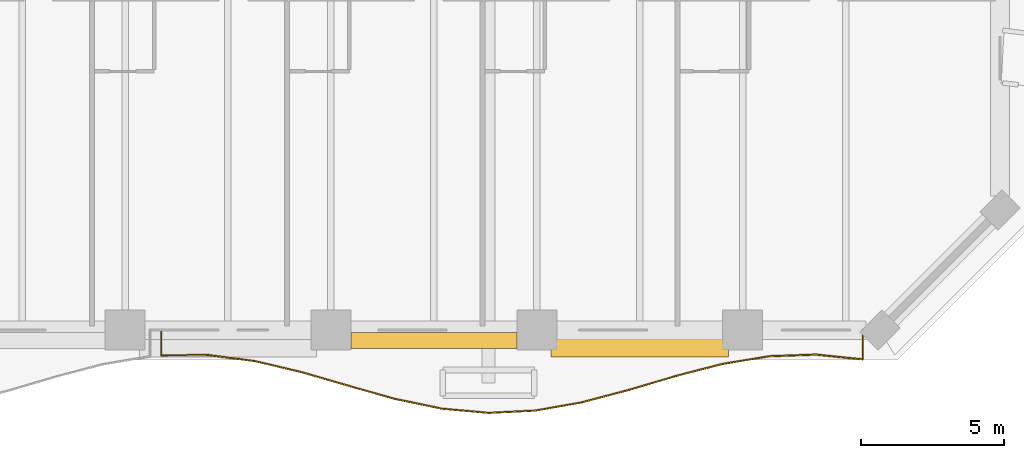
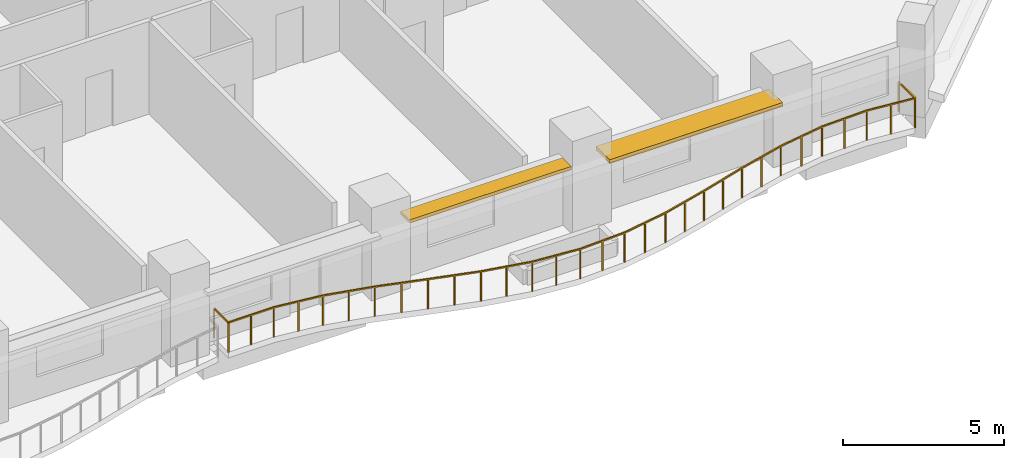
# One storey, part 14 of 15: 2 shading devices, 1 railing.
"""IFC4 building model written with IfcOpenShell, lengths in metres."""

from ifc_helpers import new_model, si_unit, direction, frame, origin, origin_2d, place, context, subcontext, project, spatial, rectangle, extrude, material, layer, layer_set, type_object, element, save


model = new_model("IFC4")

# Units and contexts
model_context = context("Model", 3, precision=1e-05, world=origin(), true_north=direction((0.0, 1.0)))
body_context = subcontext(model_context, "Body", "Model", "MODEL_VIEW")
ifc_project = project(units=[si_unit("LENGTHUNIT", "METRE"), si_unit("AREAUNIT", "SQUARE_METRE"), si_unit("VOLUMEUNIT", "CUBIC_METRE"), si_unit("PLANEANGLEUNIT", "RADIAN"), si_unit("MASSUNIT", "GRAM", prefix="KILO")], contexts=[model_context])

# Site, building, storey
site_placement = place(None, origin())
site = spatial("IfcSite", under=ifc_project, at=site_placement, CompositionType="ELEMENT")
building_placement = place(site_placement, origin())
building = spatial("IfcBuilding", under=site, at=building_placement, Name="Kaelvorn Grand Hotel", CompositionType="ELEMENT")
storey_placement = place(building_placement, frame((0.0, 0.0, 53.89990234375)))
storey = spatial("IfcBuildingStorey", under=building, at=storey_placement, Name="L11", CompositionType="ELEMENT", Elevation=53.89990234375)

# Railing
ifc_material_1 = material(Name="Stainless Steel", Category="steel")
railing_type = type_object("IfcRailingType", Name="RL-BALC-1150", PredefinedType="BALUSTRADE", material=ifc_material_1)
railing_placement = place(storey_placement, frame((54.666748046875, 0.0, 0.0)))
element("IfcRailing", 1, at=railing_placement, inside=storey, type_object=railing_type, Name="L11 Scalloped Wave Balcony Balustrade GR1-3", PredefinedType="BALUSTRADE", context=body_context, shape_type="SweptSolid", body=[
    extrude(rectangle(XDim=0.048095703125, YDim=0.048095703125, at=origin_2d()), frame((0.0, 0.0, 1.1259765625), z_axis=(0.0, -1.0, 0.0), x_axis=(1.0, 0.0, 0.0)), (0.0, 0.0, 1.0), 0.884521484375),
    extrude(rectangle(XDim=0.048095703125, YDim=0.048095703125, at=origin_2d()), frame((0.0, -0.884521484375, 1.1259765625), z_axis=(0.999978430437, 0.006568002827, 0.0), x_axis=(-0.006568002827, 0.999978430437, 0.0)), (0.0, 0.0, 1.0), 1.635498046875),
    extrude(rectangle(XDim=0.048095703125, YDim=0.048095703125, at=origin_2d()), frame((1.635498046875, -0.873779296875, 1.1259765625), z_axis=(0.991728699093, -0.128351811034, 0.0), x_axis=(0.128351811034, 0.991728699093, 0.0)), (0.0, 0.0, 1.0), 1.649169921875),
    extrude(rectangle(XDim=0.048095703125, YDim=0.048095703125, at=origin_2d()), frame((3.27099609375, -1.08544921875, 1.1259765625), z_axis=(0.973100001254, -0.230383132108, 0.0), x_axis=(0.230383132108, 0.973100001254, 0.0)), (0.0, 0.0, 1.0), 1.6806640625),
    extrude(rectangle(XDim=0.048095703125, YDim=0.048095703125, at=origin_2d()), frame((4.906494140625, -1.47265625, 1.1259765625), z_axis=(0.960083412967, -0.279713854047, 0.0), x_axis=(0.279713854047, 0.960083412967, 0.0)), (0.0, 0.0, 1.0), 1.703857421875),
    extrude(rectangle(XDim=0.048095703125, YDim=0.048095703125, at=origin_2d()), frame((6.542236328125, -1.94921875, 1.1259765625), z_axis=(0.962654451324, -0.270733092446, 0.0), x_axis=(0.270733092446, 0.962654451324, 0.0)), (0.0, 0.0, 1.0), 1.698974609375),
    extrude(rectangle(XDim=0.048095703125, YDim=0.048095703125, at=origin_2d()), frame((8.177734375, -2.4091796875, 1.1259765625), z_axis=(0.978911067954, -0.20428685968, 0.0), x_axis=(0.20428685968, 0.978911067954, 0.0)), (0.0, 0.0, 1.0), 1.670654296875),
    extrude(rectangle(XDim=0.048095703125, YDim=0.048095703125, at=origin_2d()), frame((9.813232421875, -2.75048828125, 1.1259765625), z_axis=(0.9959865086, -0.089503489801, 0.0), x_axis=(0.089503489801, 0.9959865086, 0.0)), (0.0, 0.0, 1.0), 1.64208984375),
    extrude(rectangle(XDim=0.048095703125, YDim=0.048095703125, at=origin_2d()), frame((11.44873046875, -2.8974609375, 1.1259765625), z_axis=(0.998796551064, 0.049045382881, 0.0), x_axis=(-0.049045382881, 0.998796551064, 0.0)), (0.0, 0.0, 1.0), 1.6376953125),
    extrude(rectangle(XDim=0.048095703125, YDim=0.048095703125, at=origin_2d()), frame((13.08447265625, -2.817138671875, 1.1259765625), z_axis=(0.984712445929, 0.174187826306, 0.0), x_axis=(-0.174187826306, 0.984712445929, 0.0)), (0.0, 0.0, 1.0), 1.660888671875),
    extrude(rectangle(XDim=0.048095703125, YDim=0.048095703125, at=origin_2d()), frame((14.719970703125, -2.52783203125, 1.1259765625), z_axis=(0.966464429191, 0.256800520072, 0.0), x_axis=(-0.256800520072, 0.966464429191, 0.0)), (0.0, 0.0, 1.0), 1.692138671875),
    extrude(rectangle(XDim=0.048095703125, YDim=0.048095703125, at=origin_2d()), frame((16.35546875, -2.09326171875, 1.1259765625), z_axis=(0.959066322629, 0.283181547419, 0.0), x_axis=(-0.283181547419, 0.959066322629, 0.0)), (0.0, 0.0, 1.0), 1.705322265625),
    extrude(rectangle(XDim=0.048095703125, YDim=0.048095703125, at=origin_2d()), frame((17.990966796875, -1.6103515625, 1.1259765625), z_axis=(0.967989097059, 0.250992246842, 0.0), x_axis=(-0.250992246842, 0.967989097059, 0.0)), (0.0, 0.0, 1.0), 1.689697265625),
    extrude(rectangle(XDim=0.048095703125, YDim=0.048095703125, at=origin_2d()), frame((19.62646484375, -1.186279296875, 1.1259765625), z_axis=(0.986528894242, 0.163587104702, 0.0), x_axis=(-0.163587104702, 0.986528894242, 0.0)), (0.0, 0.0, 1.0), 1.657958984375),
    extrude(rectangle(XDim=0.048095703125, YDim=0.048095703125, at=origin_2d()), frame((21.26220703125, -0.9150390625, 1.1259765625), z_axis=(0.999374770744, 0.035356295069, 0.0), x_axis=(-0.035356295069, 0.999374770744, 0.0)), (0.0, 0.0, 1.0), 1.636474609375),
    extrude(rectangle(XDim=0.048095703125, YDim=0.048095703125, at=origin_2d()), frame((22.897705078125, -0.857177734375, 1.1259765625), z_axis=(0.994767517021, -0.102164509884, 0.0), x_axis=(0.102164509884, 0.994767517021, 0.0)), (0.0, 0.0, 1.0), 1.64404296875),
    extrude(rectangle(XDim=0.048095703125, YDim=0.048095703125, at=origin_2d()), frame((24.533203125, -1.025146484375, 1.1259765625), z_axis=(0.0, 1.0, 0.0), x_axis=(-1.0, 0.0, 0.0)), (0.0, 0.0, 1.0), 1.025146484375),
    extrude(rectangle(XDim=0.0419921875, YDim=0.0419921875, at=origin_2d()), origin(), (0.0, 0.0, 1.0), 1.101806640625),
    extrude(rectangle(XDim=0.0419921875, YDim=0.0419921875, at=origin_2d()), frame((0.0, -0.884521484375, 0.0)), (0.0, 0.0, 1.0), 1.101806640625),
    extrude(rectangle(XDim=0.0419921875, YDim=0.0419921875, at=origin_2d()), frame((0.81787109375, -0.879150390625, 0.0)), (0.0, 0.0, 1.0), 1.101806640625),
    extrude(rectangle(XDim=0.0419921875, YDim=0.0419921875, at=origin_2d()), frame((1.635498046875, -0.873779296875, 0.0)), (0.0, 0.0, 1.0), 1.101806640625),
    extrude(rectangle(XDim=0.0419921875, YDim=0.0419921875, at=origin_2d()), frame((2.453125, -0.9794921875, 0.0)), (0.0, 0.0, 1.0), 1.101806640625),
    extrude(rectangle(XDim=0.0419921875, YDim=0.0419921875, at=origin_2d()), frame((3.27099609375, -1.08544921875, 0.0)), (0.0, 0.0, 1.0), 1.101806640625),
    extrude(rectangle(XDim=0.0419921875, YDim=0.0419921875, at=origin_2d()), frame((4.0888671875, -1.279052734375, 0.0)), (0.0, 0.0, 1.0), 1.101806640625),
    extrude(rectangle(XDim=0.0419921875, YDim=0.0419921875, at=origin_2d()), frame((4.906494140625, -1.47265625, 0.0)), (0.0, 0.0, 1.0), 1.101806640625),
    extrude(rectangle(XDim=0.0419921875, YDim=0.0419921875, at=origin_2d()), frame((5.724365234375, -1.7109375, 0.0)), (0.0, 0.0, 1.0), 1.101806640625),
    extrude(rectangle(XDim=0.0419921875, YDim=0.0419921875, at=origin_2d()), frame((6.542236328125, -1.94921875, 0.0)), (0.0, 0.0, 1.0), 1.101806640625),
    extrude(rectangle(XDim=0.0419921875, YDim=0.0419921875, at=origin_2d()), frame((7.35986328125, -2.17919921875, 0.0)), (0.0, 0.0, 1.0), 1.101806640625),
    extrude(rectangle(XDim=0.0419921875, YDim=0.0419921875, at=origin_2d()), frame((8.177734375, -2.4091796875, 0.0)), (0.0, 0.0, 1.0), 1.101806640625),
    extrude(rectangle(XDim=0.0419921875, YDim=0.0419921875, at=origin_2d()), frame((8.99560546875, -2.579833984375, 0.0)), (0.0, 0.0, 1.0), 1.101806640625),
    extrude(rectangle(XDim=0.0419921875, YDim=0.0419921875, at=origin_2d()), frame((9.813232421875, -2.75048828125, 0.0)), (0.0, 0.0, 1.0), 1.101806640625),
    extrude(rectangle(XDim=0.0419921875, YDim=0.0419921875, at=origin_2d()), frame((10.630859375, -2.823974609375, 0.0)), (0.0, 0.0, 1.0), 1.101806640625),
    extrude(rectangle(XDim=0.0419921875, YDim=0.0419921875, at=origin_2d()), frame((11.44873046875, -2.8974609375, 0.0)), (0.0, 0.0, 1.0), 1.101806640625),
    extrude(rectangle(XDim=0.0419921875, YDim=0.0419921875, at=origin_2d()), frame((12.2666015625, -2.857421875, 0.0)), (0.0, 0.0, 1.0), 1.101806640625),
    extrude(rectangle(XDim=0.0419921875, YDim=0.0419921875, at=origin_2d()), frame((13.08447265625, -2.817138671875, 0.0)), (0.0, 0.0, 1.0), 1.101806640625),
    extrude(rectangle(XDim=0.0419921875, YDim=0.0419921875, at=origin_2d()), frame((13.90234375, -2.67236328125, 0.0)), (0.0, 0.0, 1.0), 1.101806640625),
    extrude(rectangle(XDim=0.0419921875, YDim=0.0419921875, at=origin_2d()), frame((14.719970703125, -2.52783203125, 0.0)), (0.0, 0.0, 1.0), 1.101806640625),
    extrude(rectangle(XDim=0.0419921875, YDim=0.0419921875, at=origin_2d()), frame((15.53759765625, -2.310546875, 0.0)), (0.0, 0.0, 1.0), 1.101806640625),
    extrude(rectangle(XDim=0.0419921875, YDim=0.0419921875, at=origin_2d()), frame((16.35546875, -2.09326171875, 0.0)), (0.0, 0.0, 1.0), 1.101806640625),
    extrude(rectangle(XDim=0.0419921875, YDim=0.0419921875, at=origin_2d()), frame((17.17333984375, -1.851806640625, 0.0)), (0.0, 0.0, 1.0), 1.101806640625),
    extrude(rectangle(XDim=0.0419921875, YDim=0.0419921875, at=origin_2d()), frame((17.990966796875, -1.6103515625, 0.0)), (0.0, 0.0, 1.0), 1.101806640625),
    extrude(rectangle(XDim=0.0419921875, YDim=0.0419921875, at=origin_2d()), frame((18.80859375, -1.3984375, 0.0)), (0.0, 0.0, 1.0), 1.101806640625),
    extrude(rectangle(XDim=0.0419921875, YDim=0.0419921875, at=origin_2d()), frame((19.62646484375, -1.186279296875, 0.0)), (0.0, 0.0, 1.0), 1.101806640625),
    extrude(rectangle(XDim=0.0419921875, YDim=0.0419921875, at=origin_2d()), frame((20.4443359375, -1.05078125, 0.0)), (0.0, 0.0, 1.0), 1.101806640625),
    extrude(rectangle(XDim=0.0419921875, YDim=0.0419921875, at=origin_2d()), frame((21.26220703125, -0.9150390625, 0.0)), (0.0, 0.0, 1.0), 1.101806640625),
    extrude(rectangle(XDim=0.0419921875, YDim=0.0419921875, at=origin_2d()), frame((22.080078125, -0.88623046875, 0.0)), (0.0, 0.0, 1.0), 1.101806640625),
    extrude(rectangle(XDim=0.0419921875, YDim=0.0419921875, at=origin_2d()), frame((22.897705078125, -0.857177734375, 0.0)), (0.0, 0.0, 1.0), 1.101806640625),
    extrude(rectangle(XDim=0.0419921875, YDim=0.0419921875, at=origin_2d()), frame((23.71533203125, -0.941162109375, 0.0)), (0.0, 0.0, 1.0), 1.101806640625),
    extrude(rectangle(XDim=0.0419921875, YDim=0.0419921875, at=origin_2d()), frame((24.533203125, -1.025146484375, 0.0)), (0.0, 0.0, 1.0), 1.101806640625),
    extrude(rectangle(XDim=0.0419921875, YDim=0.0419921875, at=origin_2d()), frame((24.533203125, 0.0, 0.0)), (0.0, 0.0, 1.0), 1.101806640625),
])

# Shading devices
ifc_material_2 = material(Name="Precast concrete C45/55", Category="concrete")
ifc_layer_1 = layer(ifc_material_2, 0.1201171875)
ifc_layer_set_1 = layer_set([ifc_layer_1], Name="Precast concrete C45/55")
shading_device_type_1 = type_object("IfcShadingDeviceType", Name="SHD-SUNSHADE-550", PredefinedType="USERDEFINED", material=ifc_layer_set_1)
shading_device_1_placement = place(storey_placement, frame((64.199951171875, -0.364990234375, 2.419921875), z_axis=(0.0, 0.0, 1.0), x_axis=(1.0, 0.0, 0.0)))
element("IfcShadingDevice", 2, at=shading_device_1_placement, inside=storey, type_object=shading_device_type_1, Name="L11 Horizontal Concrete Sunshade Band SS-09", ObjectType="SUNSHADE", PredefinedType="USERDEFINED", context=body_context, shape_type="SweptSolid", body=[
    extrude(rectangle(XDim=5.800048828125, YDim=0.550048828125, at=origin_2d()), origin(), (0.0, 0.0, 1.0), 0.1201171875),
])
ifc_layer_2 = layer(ifc_material_2, 0.139892578125)
ifc_layer_set_2 = layer_set([ifc_layer_2], Name="Precast concrete C45/55")
shading_device_type_2 = type_object("IfcShadingDeviceType", Name="SHD-SUNSHADE-850", PredefinedType="USERDEFINED", material=ifc_layer_set_2)
shading_device_2_placement = place(storey_placement, frame((71.39990234375, -0.514892578125, 2.41015625), z_axis=(0.0, 0.0, 1.0), x_axis=(1.0, 0.0, 0.0)))
element("IfcShadingDevice", 3, at=shading_device_2_placement, inside=storey, type_object=shading_device_type_2, Name="L11 Horizontal Concrete Sunshade Band SS-10", ObjectType="SUNSHADE", PredefinedType="USERDEFINED", context=body_context, shape_type="SweptSolid", body=[
    extrude(rectangle(XDim=6.199951171875, YDim=0.85009765625, at=origin_2d()), origin(), (0.0, 0.0, 1.0), 0.139892578125),
])

save(model, "model.ifc")
